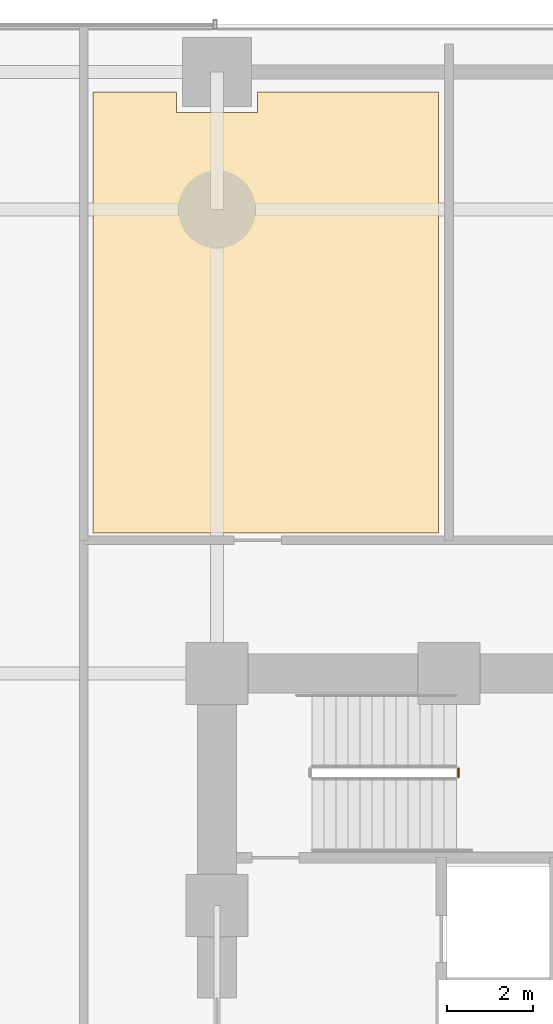
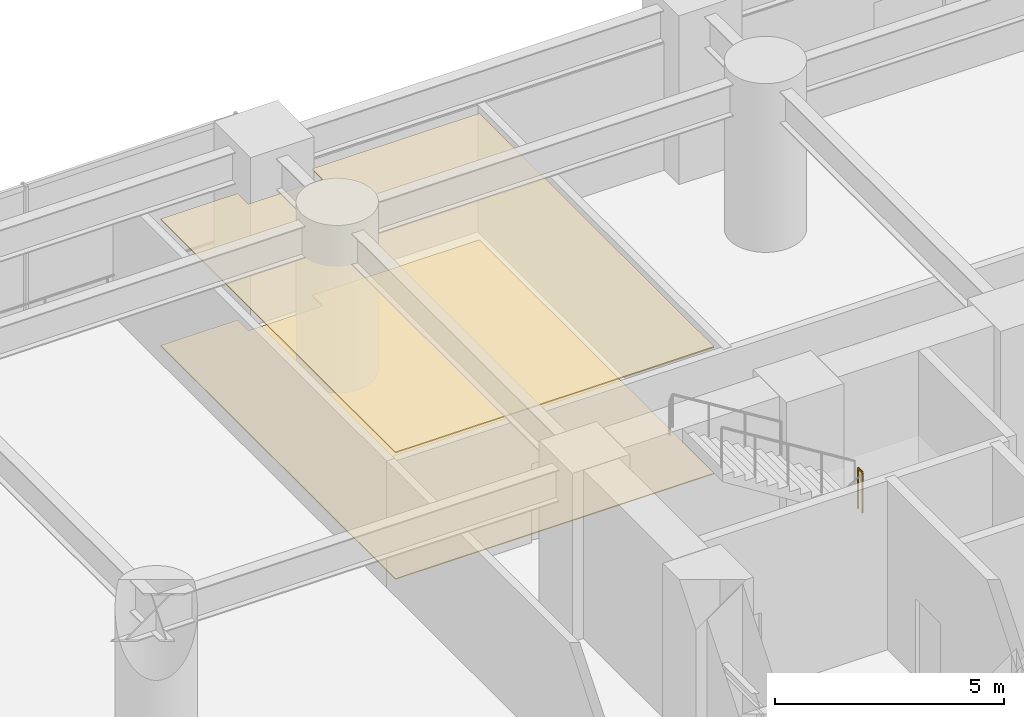
# One storey, part 34 of 36: 2 coverings, 1 railing.
"""IFC4 building model written with IfcOpenShell, lengths in metres."""

from ifc_helpers import new_model, si_unit, direction, frame, origin, origin_2d, place, context, subcontext, project, spatial, polyline, circle, outline, extrude, material, layer, layer_set, type_object, element, save


model = new_model("IFC4")

# Units and contexts
model_context = context("Model", 3, precision=1e-05, world=origin(), true_north=direction((0.0, 1.0)))
body_context = subcontext(model_context, "Body", "Model", "MODEL_VIEW")
ifc_project = project(units=[si_unit("LENGTHUNIT", "METRE"), si_unit("AREAUNIT", "SQUARE_METRE"), si_unit("VOLUMEUNIT", "CUBIC_METRE"), si_unit("PLANEANGLEUNIT", "RADIAN"), si_unit("MASSUNIT", "GRAM", prefix="KILO")], contexts=[model_context])

# Site, building, storey
site_placement = place(None, origin())
site = spatial("IfcSite", under=ifc_project, at=site_placement, CompositionType="ELEMENT")
building_placement = place(site_placement, origin())
building = spatial("IfcBuilding", under=site, at=building_placement, Name="Surkhivell Harbour Commons", CompositionType="ELEMENT")
storey_placement = place(building_placement, frame((0.0, 0.0, 9.0)))
storey = spatial("IfcBuildingStorey", under=building, at=storey_placement, Name="L02", CompositionType="ELEMENT", Elevation=9.0)

# Coverings
ifc_material_1 = material(Name="Moisture-resistant gypsum acoustic ceiling board", Category="other")
ifc_layer_1 = layer(ifc_material_1, 0.030029296875)
ifc_layer_set_1 = layer_set([ifc_layer_1], Name="Moisture-resistant gypsum acoustic ceiling board")
covering_type_1 = type_object("IfcCoveringType", Name="COV-CEIL-GYP", PredefinedType="CEILING", material=ifc_layer_set_1)
covering_1_placement = place(storey_placement, frame((0.0, 0.0, 3.368896484375)))
element("IfcCovering", 1, at=covering_1_placement, inside=storey, type_object=covering_type_1, Name="L02 Suspended Acoustic Ceiling 2", PredefinedType="CEILING", context=body_context, shape_type="SweptSolid", body=[
    extrude(outline(polyline([(-5.639892578125, 24.330078125), (-9.860107421875, 24.330078125), (-9.860107421875, 23.860107421875), (-11.739990234375, 23.860107421875), (-11.739990234375, 24.330078125), (-13.679931640625, 24.330078125), (-13.679931640625, 14.070068359375), (-5.639892578125, 14.070068359375), (-5.639892578125, 24.330078125)])), origin(), (0.0, 0.0, 1.0), 0.030029296875),
])
ifc_material_2 = material(Name="Honed terrazzo and porcelain floor finish", Category="masonry")
ifc_layer_2 = layer(ifc_material_2, 0.02490234375)
ifc_layer_set_2 = layer_set([ifc_layer_2], Name="Honed terrazzo and porcelain floor finish")
covering_type_2 = type_object("IfcCoveringType", Name="COV-FLR-TER", PredefinedType="FLOORING", material=ifc_layer_set_2)
covering_2_placement = place(storey_placement, origin())
element("IfcCovering", 2, at=covering_2_placement, inside=storey, type_object=covering_type_2, Name="L02 Interior Floor Finish 2", PredefinedType="FLOORING", context=body_context, shape_type="SweptSolid", body=[
    extrude(outline(polyline([(-5.639892578125, 24.330078125), (-9.860107421875, 24.330078125), (-9.860107421875, 23.860107421875), (-11.739990234375, 23.860107421875), (-11.739990234375, 24.330078125), (-13.679931640625, 24.330078125), (-13.679931640625, 14.070068359375), (-5.639892578125, 14.070068359375), (-5.639892578125, 24.330078125)])), origin(), (0.0, 0.0, 1.0), 0.02490234375),
])

# Railing
ifc_material_3 = material(Name="Galvanised and painted steel S355 guard rail", Category="steel")
railing_type = type_object("IfcRailingType", Name="RAL-ST-GRD1100", PredefinedType="GUARDRAIL", material=ifc_material_3)
railing_placement = place(storey_placement, frame((-5.179931640625, 8.389892578125, 2.25)))
element("IfcRailing", 3, at=railing_placement, inside=storey, type_object=railing_type, Name="L02 ST1 stair guard 2", PredefinedType="GUARDRAIL", context=body_context, shape_type="SweptSolid", body=[
    extrude(circle(Radius=0.02392578125, at=origin_2d()), frame((0.0, 0.0, 1.076171875), z_axis=(0.0, 1.0, 0.0), x_axis=(-1.0, 0.0, 0.0)), (0.0, 0.0, 1.0), 0.2001953125),
    extrude(circle(Radius=0.02099609375, at=origin_2d()), origin(), (0.0, 0.0, 1.0), 1.052001953125),
    extrude(circle(Radius=0.02099609375, at=origin_2d()), frame((0.0, 0.2001953125, 0.0)), (0.0, 0.0, 1.0), 1.052001953125),
])

save(model, "model.ifc")
